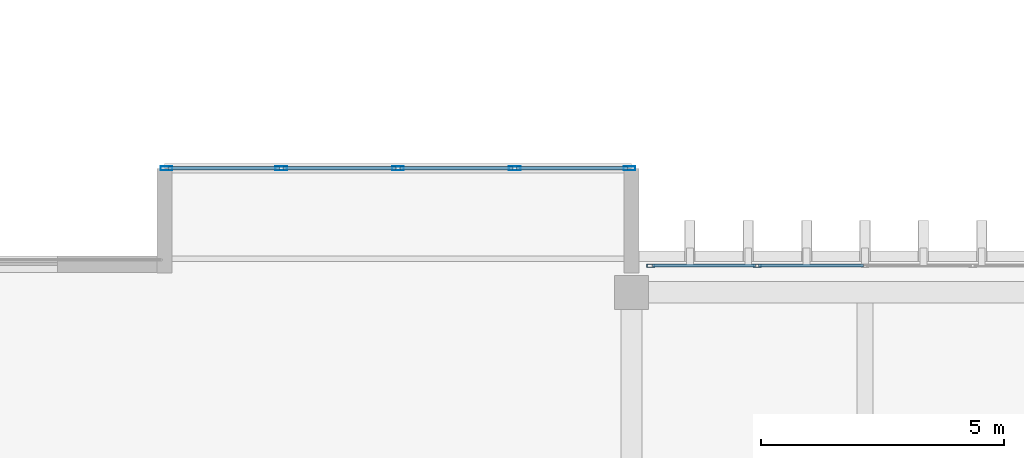
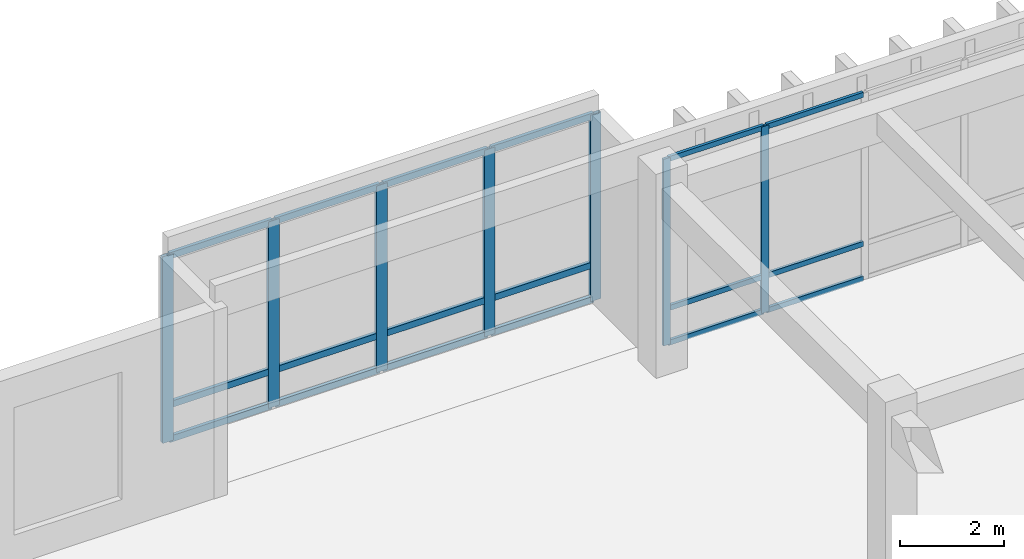
# One storey, part 46 of 133: 25 members, 2 elements without a shape of their own.
"""IFC4 building model written with IfcOpenShell, lengths in metres."""

from ifc_helpers import new_model, si_unit, direction, frame, origin, origin_2d, place, context, subcontext, project, spatial, hollow_rectangle, extrude, material, layer, layer_set, material_profile, profile_set, type_object, element, aggregate, save


model = new_model("IFC4")

# Units and contexts
model_context = context("Model", 3, precision=1e-05, world=origin(), true_north=direction((0.0, 1.0)))
body_context = subcontext(model_context, "Body", "Model", "MODEL_VIEW")
ifc_project = project(units=[si_unit("LENGTHUNIT", "METRE"), si_unit("AREAUNIT", "SQUARE_METRE"), si_unit("VOLUMEUNIT", "CUBIC_METRE"), si_unit("PLANEANGLEUNIT", "RADIAN"), si_unit("MASSUNIT", "GRAM", prefix="KILO")], contexts=[model_context])

# Site, building, storey
site_placement = place(None, origin())
site = spatial("IfcSite", under=ifc_project, at=site_placement, CompositionType="ELEMENT")
building_placement = place(site_placement, origin())
building = spatial("IfcBuilding", under=site, at=building_placement, Name="Nakhvara Creek Congress Hotel", CompositionType="ELEMENT")
storey_placement = place(building_placement, frame((0.0, 0.0, 11.39990234375)))
storey = spatial("IfcBuildingStorey", under=building, at=storey_placement, Name="L02", CompositionType="ELEMENT", Elevation=11.39990234375)

# Curtain wall, members
ifc_material_1 = material(Name="Bronze-anodised aluminium AW-6063-T6 and double-silver low-E glass", Category="aluminium")
ifc_layer_1 = layer(ifc_material_1, 0.199951171875)
ifc_layer_set_1 = layer_set([ifc_layer_1], Name="Bronze-anodised aluminium AW-6063-T6 and double-silver low-E glass")
curtain_wall_type_1 = type_object("IfcCurtainWallType", Name="CW-POD-STICK", PredefinedType="NOTDEFINED", material=ifc_layer_set_1)
curtain_wall_1_placement = place(storey_placement, origin())
curtain_wall_1 = element("IfcCurtainWall", 1, at=curtain_wall_1_placement, inside=storey, type_object=curtain_wall_type_1, Name="Curtain Wall CW085", PredefinedType="NOTDEFINED")
ifc_material_2 = material(Name="Bronze-anodised aluminium AW-6063-T6", Category="aluminium")
ifc_material_profile_1 = material_profile(ifc_material_2, hollow_rectangle(XDim=0.06494140625, YDim=0.159912109375, WallThickness=0.00390625, at=origin_2d()), Name="ALU-MULL 65x160x4", Category="LoadBearing")
ifc_profile_set_1 = profile_set([ifc_material_profile_1], Name="Bronze-anodised aluminium AW-6063-T6")
member_type_1 = type_object("IfcMemberType", Name="CW-MULL-160", PredefinedType="MULLION", material=ifc_profile_set_1)
member_1_placement = place(storey_placement, frame((77.197509765625, 95.800048828125, 0.0), z_axis=(0.0, 0.0, 1.0), x_axis=(0.0, 1.0, 0.0)))
member_1 = element("IfcMember", 2, at=member_1_placement, type_object=member_type_1, Name="CW085 mullion 1", PredefinedType="MULLION", context=body_context, shape_type="SweptSolid", body=[
    extrude(hollow_rectangle(XDim=0.06494140625, YDim=0.159912109375, WallThickness=0.00390625, at=origin_2d()), origin(), (0.0, 0.0, 1.0), 4.39013671875),
])
member_2_placement = place(storey_placement, frame((79.382568359375, 95.800048828125, 0.0), z_axis=(0.0, 0.0, 1.0), x_axis=(0.0, 1.0, 0.0)))
member_2 = element("IfcMember", 3, at=member_2_placement, type_object=member_type_1, Name="CW085 mullion 2", PredefinedType="MULLION", context=body_context, shape_type="SweptSolid", body=[
    extrude(hollow_rectangle(XDim=0.06494140625, YDim=0.159912109375, WallThickness=0.00390625, at=origin_2d()), origin(), (0.0, 0.0, 1.0), 4.39013671875),
])

ifc_layer_2 = layer(ifc_material_1, 0.219970703125)
ifc_layer_set_2 = layer_set([ifc_layer_2], Name="Bronze-anodised aluminium AW-6063-T6 and double-silver low-E glass")
curtain_wall_type_2 = type_object("IfcCurtainWallType", Name="CW-BOX-PROJ", PredefinedType="USERDEFINED", material=ifc_layer_set_2)
curtain_wall_2_placement = place(storey_placement, origin())
curtain_wall_2 = element("IfcCurtainWall", 4, at=curtain_wall_2_placement, inside=storey, type_object=curtain_wall_type_2, Name="Curtain Wall CW081", ObjectType="UNITISED", PredefinedType="USERDEFINED")
ifc_material_profile_2 = material_profile(ifc_material_2, hollow_rectangle(XDim=0.080078125, YDim=0.239990234375, WallThickness=0.0048828125, at=origin_2d()), Name="ALU-MULL 80x240x5", Category="LoadBearing")
ifc_profile_set_2 = profile_set([ifc_material_profile_2], Name="Bronze-anodised aluminium AW-6063-T6")
member_type_2 = type_object("IfcMemberType", Name="CW-MULL-240", PredefinedType="MULLION", material=ifc_profile_set_2)
member_3_placement = place(storey_placement, frame((67.239990234375, 97.800048828125, 0.0), z_axis=(0.0, 0.0, 1.0), x_axis=(0.0, 1.0, 0.0)))
member_3 = element("IfcMember", 5, at=member_3_placement, type_object=member_type_2, Name="CW081 mullion 1", PredefinedType="MULLION", context=body_context, shape_type="SweptSolid", body=[
    extrude(hollow_rectangle(XDim=0.080078125, YDim=0.239990234375, WallThickness=0.0048828125, at=origin_2d()), origin(), (0.0, 0.0, 1.0), 4.39013671875),
])
member_4_placement = place(storey_placement, frame((69.60009765625, 97.800048828125, 0.0), z_axis=(0.0, 0.0, 1.0), x_axis=(0.0, 1.0, 0.0)))
member_4 = element("IfcMember", 6, at=member_4_placement, type_object=member_type_2, Name="CW081 mullion 2", PredefinedType="MULLION", context=body_context, shape_type="SweptSolid", body=[
    extrude(hollow_rectangle(XDim=0.080078125, YDim=0.239990234375, WallThickness=0.0048828125, at=origin_2d()), origin(), (0.0, 0.0, 1.0), 4.39013671875),
])
member_5_placement = place(storey_placement, frame((72.0, 97.800048828125, 0.0), z_axis=(0.0, 0.0, 1.0), x_axis=(0.0, 1.0, 0.0)))
member_5 = element("IfcMember", 7, at=member_5_placement, type_object=member_type_2, Name="CW081 mullion 3", PredefinedType="MULLION", context=body_context, shape_type="SweptSolid", body=[
    extrude(hollow_rectangle(XDim=0.080078125, YDim=0.239990234375, WallThickness=0.0048828125, at=origin_2d()), origin(), (0.0, 0.0, 1.0), 4.39013671875),
])
member_6_placement = place(storey_placement, frame((74.39990234375, 97.800048828125, 0.0), z_axis=(0.0, 0.0, 1.0), x_axis=(0.0, 1.0, 0.0)))
member_6 = element("IfcMember", 8, at=member_6_placement, type_object=member_type_2, Name="CW081 mullion 4", PredefinedType="MULLION", context=body_context, shape_type="SweptSolid", body=[
    extrude(hollow_rectangle(XDim=0.080078125, YDim=0.239990234375, WallThickness=0.0048828125, at=origin_2d()), origin(), (0.0, 0.0, 1.0), 4.39013671875),
])
member_7_placement = place(storey_placement, frame((76.760009765625, 97.800048828125, 0.0), z_axis=(0.0, 0.0, 1.0), x_axis=(0.0, 1.0, 0.0)))
member_7 = element("IfcMember", 9, at=member_7_placement, type_object=member_type_2, Name="CW081 mullion 5", PredefinedType="MULLION", context=body_context, shape_type="SweptSolid", body=[
    extrude(hollow_rectangle(XDim=0.080078125, YDim=0.239990234375, WallThickness=0.0048828125, at=origin_2d()), origin(), (0.0, 0.0, 1.0), 4.39013671875),
])

# Member
ifc_material_profile_3 = material_profile(ifc_material_2, hollow_rectangle(XDim=0.06494140625, YDim=0.1201171875, WallThickness=0.00390625, at=origin_2d()), Name="ALU-TRAN 65x120x4", Category="LoadBearing")
ifc_profile_set_3 = profile_set([ifc_material_profile_3], Name="Bronze-anodised aluminium AW-6063-T6")
member_type_3 = type_object("IfcMemberType", Name="CW-TRAN-120", PredefinedType="USERDEFINED", material=ifc_profile_set_3)
member_8_placement = place(storey_placement, frame((77.22998046875, 95.800048828125, 0.03271484375), z_axis=(1.0, 0.0, 0.0), x_axis=(0.0, 1.0, 0.0)))
member_8 = element("IfcMember", 10, at=member_8_placement, type_object=member_type_3, Name="CW085 transom 1.1", ObjectType="TRANSOM", PredefinedType="USERDEFINED", context=body_context, shape_type="SweptSolid", body=[
    extrude(hollow_rectangle(XDim=0.06494140625, YDim=0.1201171875, WallThickness=0.00390625, at=origin_2d()), origin(), (0.0, 0.0, 1.0), 2.1201171875),
])

member_9_placement = place(storey_placement, frame((77.22998046875, 95.800048828125, 0.85009765625), z_axis=(1.0, 0.0, 0.0), x_axis=(0.0, 1.0, 0.0)))
member_9 = element("IfcMember", 11, at=member_9_placement, type_object=member_type_3, Name="CW085 transom 1.2", ObjectType="TRANSOM", PredefinedType="USERDEFINED", context=body_context, shape_type="SweptSolid", body=[
    extrude(hollow_rectangle(XDim=0.06494140625, YDim=0.1201171875, WallThickness=0.00390625, at=origin_2d()), origin(), (0.0, 0.0, 1.0), 2.1201171875),
])

member_10_placement = place(storey_placement, frame((77.22998046875, 95.800048828125, 4.357666015625), z_axis=(1.0, 0.0, 0.0), x_axis=(0.0, 1.0, 0.0)))
member_10 = element("IfcMember", 12, at=member_10_placement, type_object=member_type_3, Name="CW085 transom 1.3", ObjectType="TRANSOM", PredefinedType="USERDEFINED", context=body_context, shape_type="SweptSolid", body=[
    extrude(hollow_rectangle(XDim=0.06494140625, YDim=0.1201171875, WallThickness=0.00390625, at=origin_2d()), origin(), (0.0, 0.0, 1.0), 2.1201171875),
])

member_11_placement = place(storey_placement, frame((79.4150390625, 95.800048828125, 0.03271484375), z_axis=(1.0, 0.0, 0.0), x_axis=(0.0, 1.0, 0.0)))
member_11 = element("IfcMember", 13, at=member_11_placement, type_object=member_type_3, Name="CW085 transom 2.1", ObjectType="TRANSOM", PredefinedType="USERDEFINED", context=body_context, shape_type="SweptSolid", body=[
    extrude(hollow_rectangle(XDim=0.06494140625, YDim=0.1201171875, WallThickness=0.00390625, at=origin_2d()), origin(), (0.0, 0.0, 1.0), 2.15234375),
])

member_12_placement = place(storey_placement, frame((79.4150390625, 95.800048828125, 0.85009765625), z_axis=(1.0, 0.0, 0.0), x_axis=(0.0, 1.0, 0.0)))
member_12 = element("IfcMember", 14, at=member_12_placement, type_object=member_type_3, Name="CW085 transom 2.2", ObjectType="TRANSOM", PredefinedType="USERDEFINED", context=body_context, shape_type="SweptSolid", body=[
    extrude(hollow_rectangle(XDim=0.06494140625, YDim=0.1201171875, WallThickness=0.00390625, at=origin_2d()), origin(), (0.0, 0.0, 1.0), 2.15234375),
])

member_13_placement = place(storey_placement, frame((79.4150390625, 95.800048828125, 4.357666015625), z_axis=(1.0, 0.0, 0.0), x_axis=(0.0, 1.0, 0.0)))
member_13 = element("IfcMember", 15, at=member_13_placement, type_object=member_type_3, Name="CW085 transom 2.3", ObjectType="TRANSOM", PredefinedType="USERDEFINED", context=body_context, shape_type="SweptSolid", body=[
    extrude(hollow_rectangle(XDim=0.06494140625, YDim=0.1201171875, WallThickness=0.00390625, at=origin_2d()), origin(), (0.0, 0.0, 1.0), 2.15234375),
])

aggregate(curtain_wall_1, [member_1, member_2, member_8, member_9, member_10, member_11, member_12, member_13])

ifc_material_profile_4 = material_profile(ifc_material_2, hollow_rectangle(XDim=0.074951171875, YDim=0.14990234375, WallThickness=0.00390625, at=origin_2d()), Name="ALU-TRAN 75x150x4", Category="LoadBearing")
ifc_profile_set_4 = profile_set([ifc_material_profile_4], Name="Bronze-anodised aluminium AW-6063-T6")
member_type_4 = type_object("IfcMemberType", Name="CW-TRAN-150", PredefinedType="USERDEFINED", material=ifc_profile_set_4)
member_14_placement = place(storey_placement, frame((67.280029296875, 97.800048828125, 0.03759765625), z_axis=(1.0, 0.0, 0.0), x_axis=(0.0, 1.0, 0.0)))
member_14 = element("IfcMember", 16, at=member_14_placement, type_object=member_type_4, Name="CW081 transom 1.1", ObjectType="TRANSOM", PredefinedType="USERDEFINED", context=body_context, shape_type="SweptSolid", body=[
    extrude(hollow_rectangle(XDim=0.074951171875, YDim=0.14990234375, WallThickness=0.00390625, at=origin_2d()), origin(), (0.0, 0.0, 1.0), 2.280029296875),
])

member_15_placement = place(storey_placement, frame((67.280029296875, 97.800048828125, 0.85009765625), z_axis=(1.0, 0.0, 0.0), x_axis=(0.0, 1.0, 0.0)))
member_15 = element("IfcMember", 17, at=member_15_placement, type_object=member_type_4, Name="CW081 transom 1.2", ObjectType="TRANSOM", PredefinedType="USERDEFINED", context=body_context, shape_type="SweptSolid", body=[
    extrude(hollow_rectangle(XDim=0.074951171875, YDim=0.14990234375, WallThickness=0.00390625, at=origin_2d()), origin(), (0.0, 0.0, 1.0), 2.280029296875),
])

member_16_placement = place(storey_placement, frame((67.280029296875, 97.800048828125, 4.3525390625), z_axis=(1.0, 0.0, 0.0), x_axis=(0.0, 1.0, 0.0)))
member_16 = element("IfcMember", 18, at=member_16_placement, type_object=member_type_4, Name="CW081 transom 1.3", ObjectType="TRANSOM", PredefinedType="USERDEFINED", context=body_context, shape_type="SweptSolid", body=[
    extrude(hollow_rectangle(XDim=0.074951171875, YDim=0.14990234375, WallThickness=0.00390625, at=origin_2d()), origin(), (0.0, 0.0, 1.0), 2.280029296875),
])

member_17_placement = place(storey_placement, frame((69.639892578125, 97.800048828125, 0.03759765625), z_axis=(1.0, 0.0, 0.0), x_axis=(0.0, 1.0, 0.0)))
member_17 = element("IfcMember", 19, at=member_17_placement, type_object=member_type_4, Name="CW081 transom 2.1", ObjectType="TRANSOM", PredefinedType="USERDEFINED", context=body_context, shape_type="SweptSolid", body=[
    extrude(hollow_rectangle(XDim=0.074951171875, YDim=0.14990234375, WallThickness=0.00390625, at=origin_2d()), origin(), (0.0, 0.0, 1.0), 2.320068359375),
])

member_18_placement = place(storey_placement, frame((69.639892578125, 97.800048828125, 0.85009765625), z_axis=(1.0, 0.0, 0.0), x_axis=(0.0, 1.0, 0.0)))
member_18 = element("IfcMember", 20, at=member_18_placement, type_object=member_type_4, Name="CW081 transom 2.2", ObjectType="TRANSOM", PredefinedType="USERDEFINED", context=body_context, shape_type="SweptSolid", body=[
    extrude(hollow_rectangle(XDim=0.074951171875, YDim=0.14990234375, WallThickness=0.00390625, at=origin_2d()), origin(), (0.0, 0.0, 1.0), 2.320068359375),
])

member_19_placement = place(storey_placement, frame((69.639892578125, 97.800048828125, 4.3525390625), z_axis=(1.0, 0.0, 0.0), x_axis=(0.0, 1.0, 0.0)))
member_19 = element("IfcMember", 21, at=member_19_placement, type_object=member_type_4, Name="CW081 transom 2.3", ObjectType="TRANSOM", PredefinedType="USERDEFINED", context=body_context, shape_type="SweptSolid", body=[
    extrude(hollow_rectangle(XDim=0.074951171875, YDim=0.14990234375, WallThickness=0.00390625, at=origin_2d()), origin(), (0.0, 0.0, 1.0), 2.320068359375),
])

member_20_placement = place(storey_placement, frame((72.0400390625, 97.800048828125, 0.03759765625), z_axis=(1.0, 0.0, 0.0), x_axis=(0.0, 1.0, 0.0)))
member_20 = element("IfcMember", 22, at=member_20_placement, type_object=member_type_4, Name="CW081 transom 3.1", ObjectType="TRANSOM", PredefinedType="USERDEFINED", context=body_context, shape_type="SweptSolid", body=[
    extrude(hollow_rectangle(XDim=0.074951171875, YDim=0.14990234375, WallThickness=0.00390625, at=origin_2d()), origin(), (0.0, 0.0, 1.0), 2.320068359375),
])

member_21_placement = place(storey_placement, frame((72.0400390625, 97.800048828125, 0.85009765625), z_axis=(1.0, 0.0, 0.0), x_axis=(0.0, 1.0, 0.0)))
member_21 = element("IfcMember", 23, at=member_21_placement, type_object=member_type_4, Name="CW081 transom 3.2", ObjectType="TRANSOM", PredefinedType="USERDEFINED", context=body_context, shape_type="SweptSolid", body=[
    extrude(hollow_rectangle(XDim=0.074951171875, YDim=0.14990234375, WallThickness=0.00390625, at=origin_2d()), origin(), (0.0, 0.0, 1.0), 2.320068359375),
])

member_22_placement = place(storey_placement, frame((72.0400390625, 97.800048828125, 4.3525390625), z_axis=(1.0, 0.0, 0.0), x_axis=(0.0, 1.0, 0.0)))
member_22 = element("IfcMember", 24, at=member_22_placement, type_object=member_type_4, Name="CW081 transom 3.3", ObjectType="TRANSOM", PredefinedType="USERDEFINED", context=body_context, shape_type="SweptSolid", body=[
    extrude(hollow_rectangle(XDim=0.074951171875, YDim=0.14990234375, WallThickness=0.00390625, at=origin_2d()), origin(), (0.0, 0.0, 1.0), 2.320068359375),
])

member_23_placement = place(storey_placement, frame((74.43994140625, 97.800048828125, 0.03759765625), z_axis=(1.0, 0.0, 0.0), x_axis=(0.0, 1.0, 0.0)))
member_23 = element("IfcMember", 25, at=member_23_placement, type_object=member_type_4, Name="CW081 transom 4.1", ObjectType="TRANSOM", PredefinedType="USERDEFINED", context=body_context, shape_type="SweptSolid", body=[
    extrude(hollow_rectangle(XDim=0.074951171875, YDim=0.14990234375, WallThickness=0.00390625, at=origin_2d()), origin(), (0.0, 0.0, 1.0), 2.280029296875),
])

member_24_placement = place(storey_placement, frame((74.43994140625, 97.800048828125, 0.85009765625), z_axis=(1.0, 0.0, 0.0), x_axis=(0.0, 1.0, 0.0)))
member_24 = element("IfcMember", 26, at=member_24_placement, type_object=member_type_4, Name="CW081 transom 4.2", ObjectType="TRANSOM", PredefinedType="USERDEFINED", context=body_context, shape_type="SweptSolid", body=[
    extrude(hollow_rectangle(XDim=0.074951171875, YDim=0.14990234375, WallThickness=0.00390625, at=origin_2d()), origin(), (0.0, 0.0, 1.0), 2.280029296875),
])

member_25_placement = place(storey_placement, frame((74.43994140625, 97.800048828125, 4.3525390625), z_axis=(1.0, 0.0, 0.0), x_axis=(0.0, 1.0, 0.0)))
member_25 = element("IfcMember", 27, at=member_25_placement, type_object=member_type_4, Name="CW081 transom 4.3", ObjectType="TRANSOM", PredefinedType="USERDEFINED", context=body_context, shape_type="SweptSolid", body=[
    extrude(hollow_rectangle(XDim=0.074951171875, YDim=0.14990234375, WallThickness=0.00390625, at=origin_2d()), origin(), (0.0, 0.0, 1.0), 2.280029296875),
])

aggregate(curtain_wall_2, [member_3, member_4, member_5, member_6, member_7, member_14, member_15, member_16, member_17, member_18, member_19, member_20, member_21, member_22, member_23, member_24, member_25])

save(model, "model.ifc")
